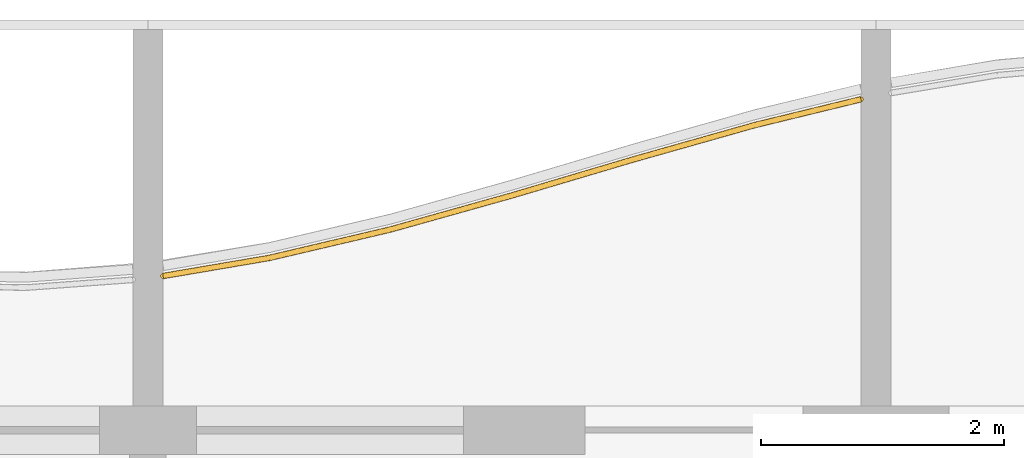
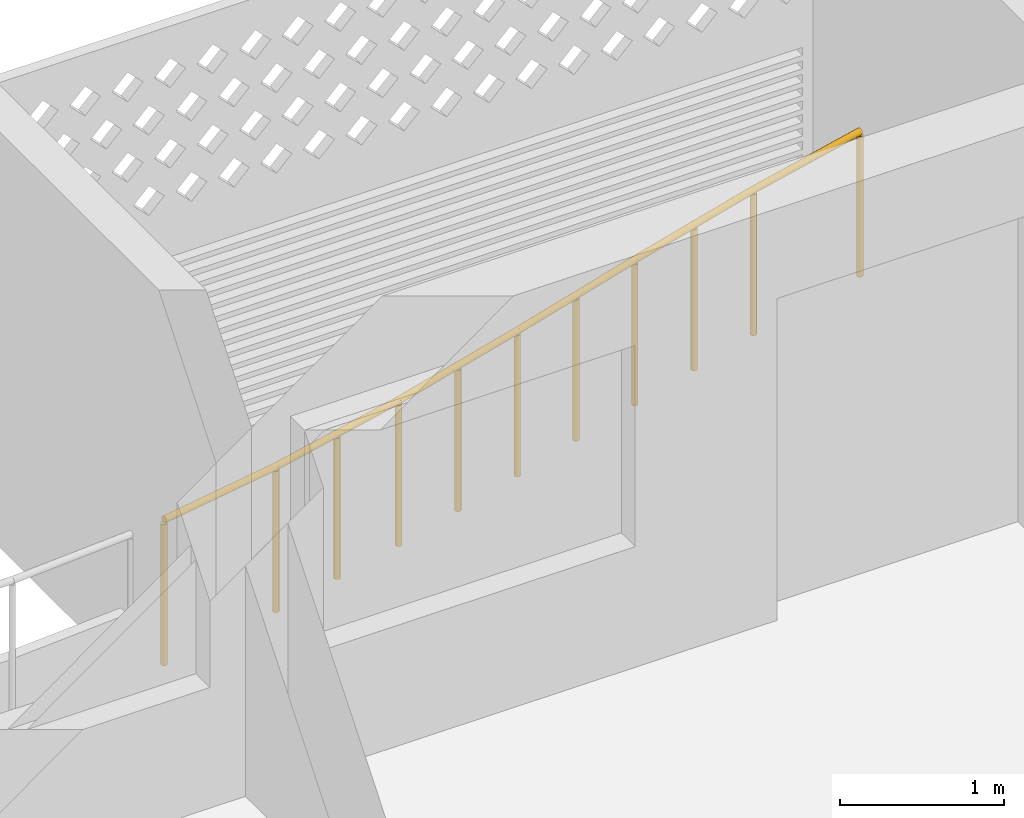
# One storey, part 22 of 33: 1 railing.
"""IFC4 building model written with IfcOpenShell, lengths in metres."""

from ifc_helpers import new_model, si_unit, direction, frame, origin, origin_2d, place, context, subcontext, project, spatial, circle, extrude, material, type_object, element, save


model = new_model("IFC4")

# Units and contexts
model_context = context("Model", 3, precision=1e-05, world=origin(), true_north=direction((0.0, 1.0)))
body_context = subcontext(model_context, "Body", "Model", "MODEL_VIEW")
ifc_project = project(units=[si_unit("LENGTHUNIT", "METRE"), si_unit("AREAUNIT", "SQUARE_METRE"), si_unit("VOLUMEUNIT", "CUBIC_METRE"), si_unit("PLANEANGLEUNIT", "RADIAN"), si_unit("MASSUNIT", "GRAM", prefix="KILO")], contexts=[model_context])

# Site, building, storey
site_placement = place(None, origin())
site = spatial("IfcSite", under=ifc_project, at=site_placement, CompositionType="ELEMENT")
building_placement = place(site_placement, origin())
building = spatial("IfcBuilding", under=site, at=building_placement, Name="Poui Terraces", CompositionType="ELEMENT")
storey_placement = place(building_placement, frame((0.0, 0.0, 138.89990234375)))
storey = spatial("IfcBuildingStorey", under=building, at=storey_placement, Name="L38", CompositionType="ELEMENT", Elevation=138.89990234375)

# Railing
ifc_material = material(Name="Painted steel fretwork", Category="steel")
railing_type = type_object("IfcRailingType", Name="BALCONY GUARD 1100", PredefinedType="GUARDRAIL", material=ifc_material)
railing_placement = place(storey_placement, frame((36.125, 43.67041015625, 0.0)))
element("IfcRailing", 1, at=railing_placement, inside=storey, type_object=railing_type, Name="BALCONY GUARD", PredefinedType="GUARDRAIL", context=body_context, shape_type="SweptSolid", body=[
    extrude(circle(Radius=0.02392578125, at=origin_2d()), frame((0.0, 0.0, 1.076171875), z_axis=(0.985823105924, 0.167787972828, 0.0), x_axis=(-0.167787972828, 0.985823105924, 0.0)), (0.0, 0.0, 1.0), 0.8876953125),
    extrude(circle(Radius=0.02392578125, at=origin_2d()), frame((0.875, 0.14892578125, 1.076171875), z_axis=(0.973510598085, 0.228641893398, 0.0), x_axis=(-0.228641893398, 0.973510598085, 0.0)), (0.0, 0.0, 1.0), 1.027099609375),
    extrude(circle(Radius=0.02392578125, at=origin_2d()), frame((1.875, 0.3837890625, 1.076171875), z_axis=(0.962895626656, 0.269874067237, 0.0), x_axis=(-0.269874067237, 0.962895626656, 0.0)), (0.0, 0.0, 1.0), 1.03857421875),
    extrude(circle(Radius=0.02392578125, at=origin_2d()), frame((2.875, 0.6640625, 1.076171875), z_axis=(0.958710700624, 0.284383179018, 0.0), x_axis=(-0.284383179018, 0.958710700624, 0.0)), (0.0, 0.0, 1.0), 1.04296875),
    extrude(circle(Radius=0.02392578125, at=origin_2d()), frame((3.875, 0.960693359375, 1.076171875), z_axis=(0.962282666556, 0.272051593719, 0.0), x_axis=(-0.272051593719, 0.962282666556, 0.0)), (0.0, 0.0, 1.0), 1.039306640625),
    extrude(circle(Radius=0.02392578125, at=origin_2d()), frame((4.875, 1.243408203125, 1.076171875), z_axis=(0.971654139629, 0.236406922365, 0.0), x_axis=(-0.236406922365, 0.971654139629, 0.0)), (0.0, 0.0, 1.0), 0.900634765625),
    extrude(circle(Radius=0.02099609375, at=origin_2d()), origin(), (0.0, 0.0, 1.0), 1.052001953125),
    extrude(circle(Radius=0.02099609375, at=origin_2d()), frame((0.875, 0.14892578125, 0.0)), (0.0, 0.0, 1.0), 1.052001953125),
    extrude(circle(Radius=0.02099609375, at=origin_2d()), frame((1.375, 0.266357421875, 0.0)), (0.0, 0.0, 1.0), 1.052001953125),
    extrude(circle(Radius=0.02099609375, at=origin_2d()), frame((1.875, 0.3837890625, 0.0)), (0.0, 0.0, 1.0), 1.052001953125),
    extrude(circle(Radius=0.02099609375, at=origin_2d()), frame((2.375, 0.52392578125, 0.0)), (0.0, 0.0, 1.0), 1.052001953125),
    extrude(circle(Radius=0.02099609375, at=origin_2d()), frame((2.875, 0.6640625, 0.0)), (0.0, 0.0, 1.0), 1.052001953125),
    extrude(circle(Radius=0.02099609375, at=origin_2d()), frame((3.375, 0.8125, 0.0)), (0.0, 0.0, 1.0), 1.052001953125),
    extrude(circle(Radius=0.02099609375, at=origin_2d()), frame((3.875, 0.960693359375, 0.0)), (0.0, 0.0, 1.0), 1.052001953125),
    extrude(circle(Radius=0.02099609375, at=origin_2d()), frame((4.375, 1.10205078125, 0.0)), (0.0, 0.0, 1.0), 1.052001953125),
    extrude(circle(Radius=0.02099609375, at=origin_2d()), frame((4.875, 1.243408203125, 0.0)), (0.0, 0.0, 1.0), 1.052001953125),
    extrude(circle(Radius=0.02099609375, at=origin_2d()), frame((5.75, 1.456298828125, 0.0)), (0.0, 0.0, 1.0), 1.052001953125),
])

save(model, "model.ifc")
